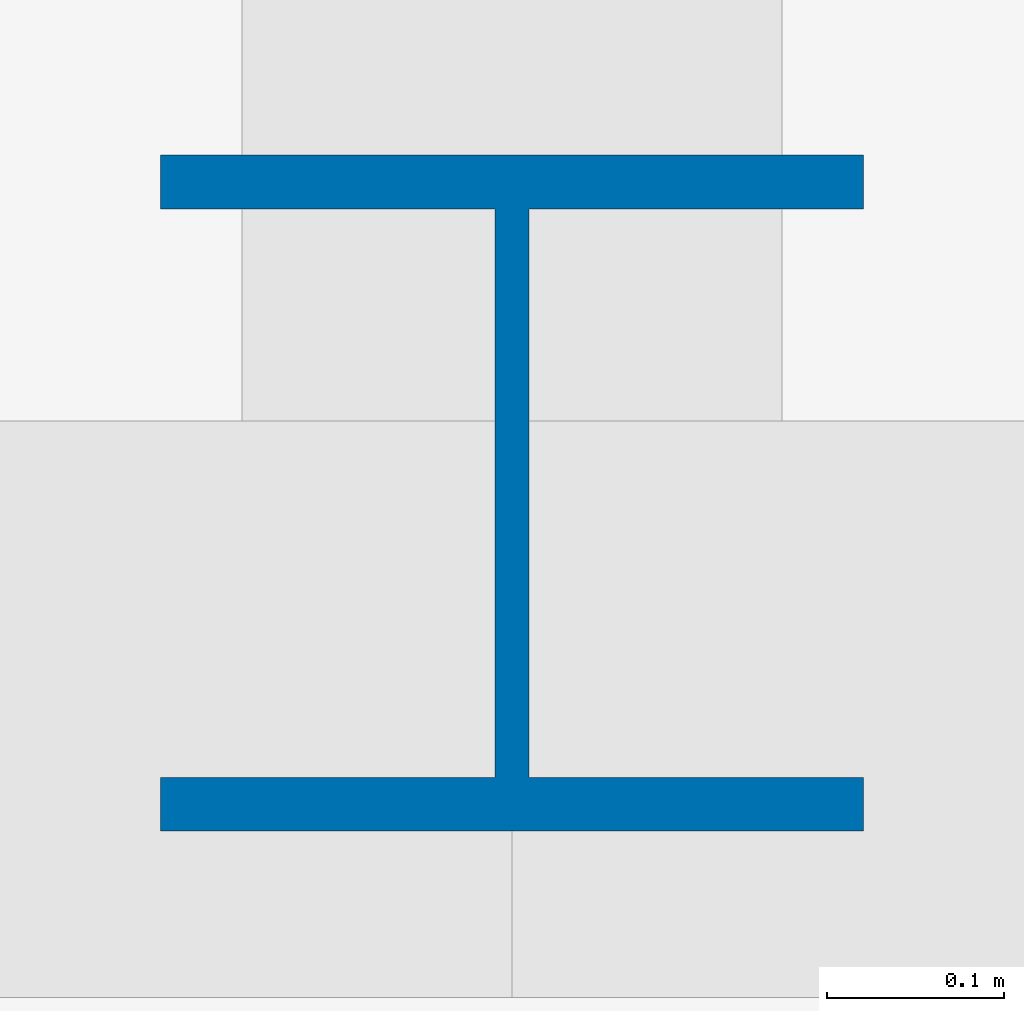
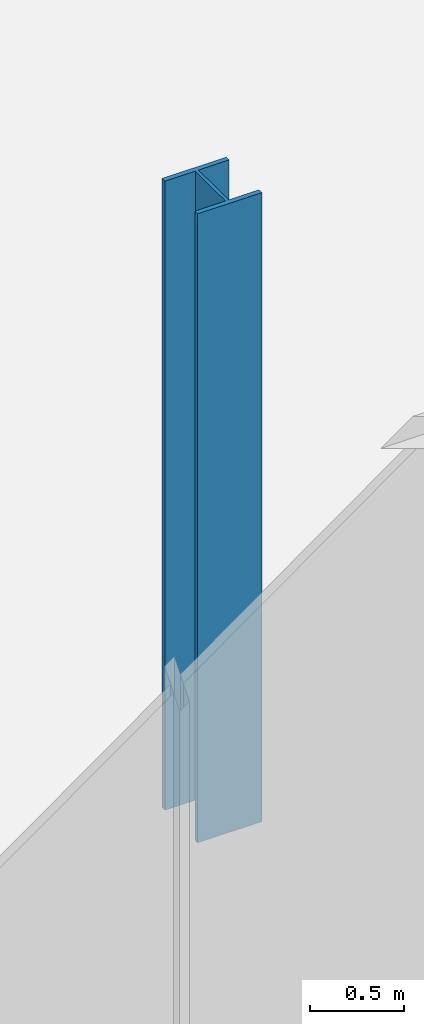
# One storey, part 2 of 24: 1 column.
"""IFC4 building model written with IfcOpenShell, lengths in metres."""

from ifc_helpers import new_model, si_unit, direction, frame, origin, origin_2d, place, context, subcontext, project, spatial, i_section, extrude, material, material_profile, profile_set, type_object, element, save


model = new_model("IFC4")

# Units and contexts
model_context = context("Model", 3, precision=1e-05, world=origin(), true_north=direction((0.0, 1.0)))
body_context = subcontext(model_context, "Body", "Model", "MODEL_VIEW")
ifc_project = project(units=[si_unit("LENGTHUNIT", "METRE"), si_unit("AREAUNIT", "SQUARE_METRE"), si_unit("VOLUMEUNIT", "CUBIC_METRE"), si_unit("PLANEANGLEUNIT", "RADIAN"), si_unit("MASSUNIT", "GRAM", prefix="KILO")], contexts=[model_context])

# Site, building, storey
site_placement = place(None, origin())
site = spatial("IfcSite", under=ifc_project, at=site_placement, CompositionType="ELEMENT")
building_placement = place(site_placement, origin())
building = spatial("IfcBuilding", under=site, at=building_placement, Name="Bicima Exchange Tower", CompositionType="ELEMENT")
storey_placement = place(building_placement, frame((0.0, 0.0, 160.89990234375)))
storey = spatial("IfcBuildingStorey", under=building, at=storey_placement, Name="L35", CompositionType="ELEMENT", Elevation=160.89990234375)

# Column
ifc_material = material(Name="Steel ASTM A992 Gr 50", Category="steel")
ifc_material_profile = material_profile(ifc_material, i_section(OverallWidth=0.396240234375, OverallDepth=0.381103515625, WebThickness=0.01904296875, FlangeThickness=0.0302734375, at=origin_2d()))
ifc_profile_set = profile_set([ifc_material_profile], Name="Steel ASTM A992 Gr 50")
column_type = type_object("IfcColumnType", Name="Perimeter column W14x159", PredefinedType="COLUMN", material=ifc_profile_set)
column_placement = place(storey_placement, frame((26.10009765625, -32.402099609375, 0.0), z_axis=(0.0, 0.0, 1.0), x_axis=(1.0, 0.0, 0.0)))
element("IfcColumn", 1, at=column_placement, inside=storey, type_object=column_type, Name="Perimeter column grav+26.1f", PredefinedType="COLUMN", context=body_context, shape_type="SweptSolid", body=[
    extrude(i_section(OverallWidth=0.396240234375, OverallDepth=0.381103515625, WebThickness=0.01904296875, FlangeThickness=0.0302734375, at=origin_2d()), origin(), (0.0, 0.0, 1.0), 4.10009765625),
])

save(model, "model.ifc")
